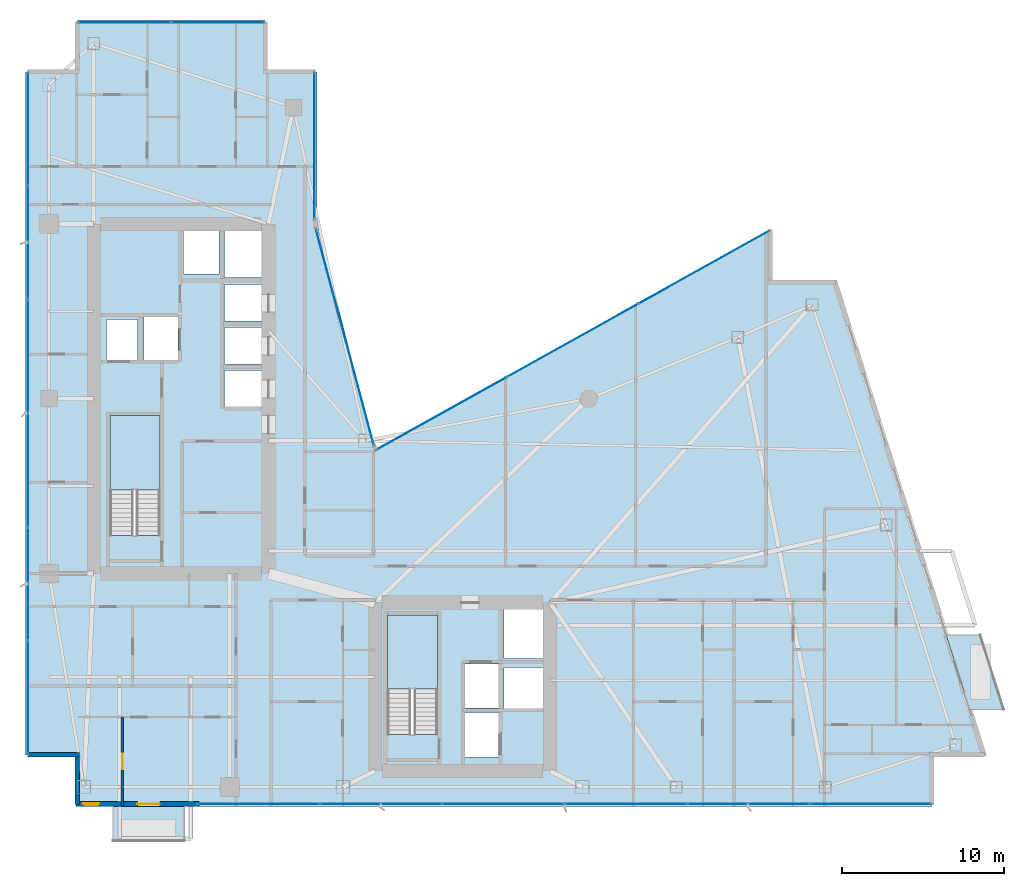
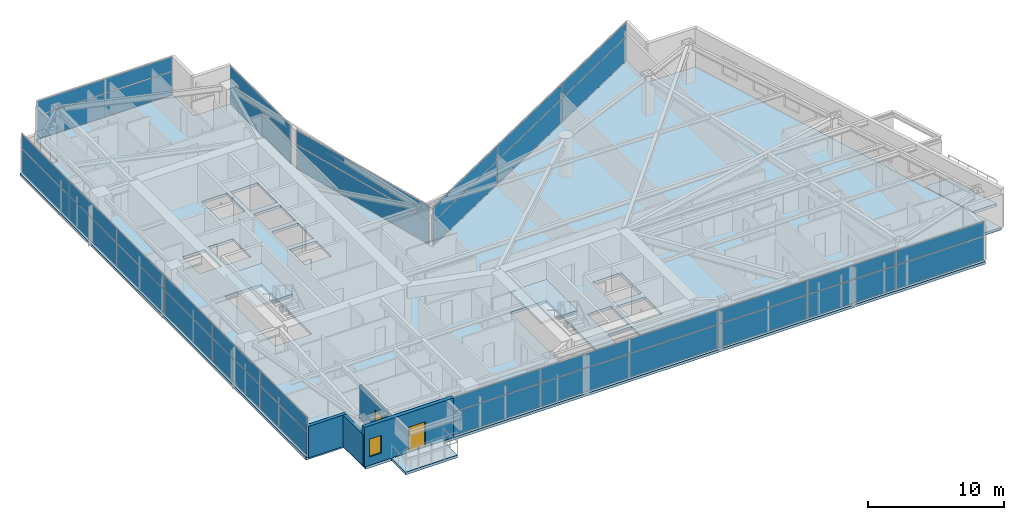
# One storey, part 21 of 29: 38 plates, 5 slabs, 4 walls, 2 doors, 1 window, 3 openings, 8 elements without a shape of their own.
"""IFC4 building model written with IfcOpenShell, lengths in metres."""

from ifc_helpers import new_model, si_unit, direction, frame, frame_2d, origin, origin_2d, place, context, subcontext, project, spatial, polyline, rectangle, outline, extrude, material, layer, layer_set, type_object, element, fill, aggregate, save


model = new_model("IFC4")

# Units and contexts
model_context = context("Model", 3, precision=1e-05, world=origin(), true_north=direction((0.0, 1.0)))
body_context = subcontext(model_context, "Body", "Model", "MODEL_VIEW")
ifc_project = project(units=[si_unit("LENGTHUNIT", "METRE"), si_unit("AREAUNIT", "SQUARE_METRE"), si_unit("VOLUMEUNIT", "CUBIC_METRE"), si_unit("PLANEANGLEUNIT", "RADIAN"), si_unit("MASSUNIT", "GRAM", prefix="KILO")], contexts=[model_context])

# Site, building, storey
site_placement = place(None, origin())
site = spatial("IfcSite", under=ifc_project, at=site_placement, CompositionType="ELEMENT")
building_placement = place(site_placement, origin())
building = spatial("IfcBuilding", under=site, at=building_placement, Name="Calvorn Quay Hotel", CompositionType="ELEMENT")
storey_placement = place(building_placement, frame((0.0, 0.0, 124.0)))
storey = spatial("IfcBuildingStorey", under=building, at=storey_placement, Name="L30", CompositionType="ELEMENT", Elevation=124.0)

# Curtain wall, plates
ifc_material_1 = material(Name="Pale Anodised Aluminium and Low-E Glass", Category="aluminium")
ifc_layer_1 = layer(ifc_material_1, 0.219970703125)
ifc_layer_set_1 = layer_set([ifc_layer_1], Name="CW-SYS-Z2")
curtain_wall_type = type_object("IfcCurtainWallType", Name="CW-SYS-Z2", PredefinedType="NOTDEFINED", material=ifc_layer_set_1)
curtain_wall_1_placement = place(storey_placement, origin())
curtain_wall_1 = element("IfcCurtainWall", 1, at=curtain_wall_1_placement, inside=storey, type_object=curtain_wall_type, Name="Tower West Curtain Wall (L30)", PredefinedType="NOTDEFINED")
ifc_material_2 = material(Name="Low-E Laminated Double Glazing", Category="glass")
ifc_layer_2 = layer(ifc_material_2, 0.028076171875)
ifc_layer_set_2 = layer_set([ifc_layer_2], Name="CW-SYS-Z2-PAN")
plate_type = type_object("IfcPlateType", Name="CW-SYS-Z2-PAN", PredefinedType="CURTAIN_PANEL", material=ifc_layer_set_2)
plate_1_placement = place(storey_placement, frame((0.14990234375, 9.131591796875, 0.06005859375), z_axis=(0.0, 0.0, 1.0), x_axis=(0.0, 1.0, 0.0)))
plate_1 = element("IfcPlate", 2, at=plate_1_placement, type_object=plate_type, Name="CW-L30-W panel 1.1", PredefinedType="CURTAIN_PANEL", context=body_context, shape_type="SweptSolid", body=[
    extrude(rectangle(XDim=6.943359375, YDim=0.028076171875, at=origin_2d()), origin(), (0.0, 0.0, 1.0), 2.110107421875),
])
plate_2_placement = place(storey_placement, frame((0.14990234375, 9.131591796875, 2.22998046875), z_axis=(0.0, 0.0, 1.0), x_axis=(0.0, 1.0, 0.0)))
plate_2 = element("IfcPlate", 3, at=plate_2_placement, type_object=plate_type, Name="CW-L30-W panel 1.2", PredefinedType="CURTAIN_PANEL", context=body_context, shape_type="SweptSolid", body=[
    extrude(rectangle(XDim=6.943359375, YDim=0.028076171875, at=origin_2d()), origin(), (0.0, 0.0, 1.0), 1.27001953125),
])
plate_3_placement = place(storey_placement, frame((0.14990234375, 16.14990234375, 0.06005859375), z_axis=(0.0, 0.0, 1.0), x_axis=(0.0, 1.0, 0.0)))
plate_3 = element("IfcPlate", 4, at=plate_3_placement, type_object=plate_type, Name="CW-L30-W panel 2.1", PredefinedType="CURTAIN_PANEL", context=body_context, shape_type="SweptSolid", body=[
    extrude(rectangle(XDim=6.973388671875, YDim=0.028076171875, at=origin_2d()), origin(), (0.0, 0.0, 1.0), 2.110107421875),
])
plate_4_placement = place(storey_placement, frame((0.14990234375, 16.14990234375, 2.22998046875), z_axis=(0.0, 0.0, 1.0), x_axis=(0.0, 1.0, 0.0)))
plate_4 = element("IfcPlate", 5, at=plate_4_placement, type_object=plate_type, Name="CW-L30-W panel 2.2", PredefinedType="CURTAIN_PANEL", context=body_context, shape_type="SweptSolid", body=[
    extrude(rectangle(XDim=6.973388671875, YDim=0.028076171875, at=origin_2d()), origin(), (0.0, 0.0, 1.0), 1.27001953125),
])
plate_5_placement = place(storey_placement, frame((0.14990234375, 23.183349609375, 0.06005859375), z_axis=(0.0, 0.0, 1.0), x_axis=(0.0, 1.0, 0.0)))
plate_5 = element("IfcPlate", 6, at=plate_5_placement, type_object=plate_type, Name="CW-L30-W panel 3.1", PredefinedType="CURTAIN_PANEL", context=body_context, shape_type="SweptSolid", body=[
    extrude(rectangle(XDim=6.973388671875, YDim=0.028076171875, at=origin_2d()), origin(), (0.0, 0.0, 1.0), 2.110107421875),
])
plate_6_placement = place(storey_placement, frame((0.14990234375, 23.183349609375, 2.22998046875), z_axis=(0.0, 0.0, 1.0), x_axis=(0.0, 1.0, 0.0)))
plate_6 = element("IfcPlate", 7, at=plate_6_placement, type_object=plate_type, Name="CW-L30-W panel 3.2", PredefinedType="CURTAIN_PANEL", context=body_context, shape_type="SweptSolid", body=[
    extrude(rectangle(XDim=6.973388671875, YDim=0.028076171875, at=origin_2d()), origin(), (0.0, 0.0, 1.0), 1.27001953125),
])
plate_7_placement = place(storey_placement, frame((0.14990234375, 30.216552734375, 0.06005859375), z_axis=(0.0, 0.0, 1.0), x_axis=(0.0, 1.0, 0.0)))
plate_7 = element("IfcPlate", 8, at=plate_7_placement, type_object=plate_type, Name="CW-L30-W panel 4.1", PredefinedType="CURTAIN_PANEL", context=body_context, shape_type="SweptSolid", body=[
    extrude(rectangle(XDim=6.973388671875, YDim=0.028076171875, at=origin_2d()), origin(), (0.0, 0.0, 1.0), 2.110107421875),
])
plate_8_placement = place(storey_placement, frame((0.14990234375, 30.216552734375, 2.22998046875), z_axis=(0.0, 0.0, 1.0), x_axis=(0.0, 1.0, 0.0)))
plate_8 = element("IfcPlate", 9, at=plate_8_placement, type_object=plate_type, Name="CW-L30-W panel 4.2", PredefinedType="CURTAIN_PANEL", context=body_context, shape_type="SweptSolid", body=[
    extrude(rectangle(XDim=6.973388671875, YDim=0.028076171875, at=origin_2d()), origin(), (0.0, 0.0, 1.0), 1.27001953125),
])
plate_9_placement = place(storey_placement, frame((0.14990234375, 37.25, 0.06005859375), z_axis=(0.0, 0.0, 1.0), x_axis=(0.0, 1.0, 0.0)))
plate_9 = element("IfcPlate", 10, at=plate_9_placement, type_object=plate_type, Name="CW-L30-W panel 5.1", PredefinedType="CURTAIN_PANEL", context=body_context, shape_type="SweptSolid", body=[
    extrude(rectangle(XDim=6.973388671875, YDim=0.028076171875, at=origin_2d()), origin(), (0.0, 0.0, 1.0), 2.110107421875),
])
plate_10_placement = place(storey_placement, frame((0.14990234375, 37.25, 2.22998046875), z_axis=(0.0, 0.0, 1.0), x_axis=(0.0, 1.0, 0.0)))
plate_10 = element("IfcPlate", 11, at=plate_10_placement, type_object=plate_type, Name="CW-L30-W panel 5.2", PredefinedType="CURTAIN_PANEL", context=body_context, shape_type="SweptSolid", body=[
    extrude(rectangle(XDim=6.973388671875, YDim=0.028076171875, at=origin_2d()), origin(), (0.0, 0.0, 1.0), 1.27001953125),
])
plate_11_placement = place(storey_placement, frame((0.14990234375, 44.268310546875, 0.06005859375), z_axis=(0.0, 0.0, 1.0), x_axis=(0.0, 1.0, 0.0)))
plate_11 = element("IfcPlate", 12, at=plate_11_placement, type_object=plate_type, Name="CW-L30-W panel 6.1", PredefinedType="CURTAIN_PANEL", context=body_context, shape_type="SweptSolid", body=[
    extrude(rectangle(XDim=6.943359375, YDim=0.028076171875, at=origin_2d()), origin(), (0.0, 0.0, 1.0), 2.110107421875),
])
plate_12_placement = place(storey_placement, frame((0.14990234375, 44.268310546875, 2.22998046875), z_axis=(0.0, 0.0, 1.0), x_axis=(0.0, 1.0, 0.0)))
plate_12 = element("IfcPlate", 13, at=plate_12_placement, type_object=plate_type, Name="CW-L30-W panel 6.2", PredefinedType="CURTAIN_PANEL", context=body_context, shape_type="SweptSolid", body=[
    extrude(rectangle(XDim=6.943359375, YDim=0.028076171875, at=origin_2d()), origin(), (0.0, 0.0, 1.0), 1.27001953125),
])
aggregate(curtain_wall_1, [plate_1, plate_2, plate_3, plate_4, plate_5, plate_6, plate_7, plate_8, plate_9, plate_10, plate_11, plate_12])

curtain_wall_2_placement = place(storey_placement, origin())
curtain_wall_2 = element("IfcCurtainWall", 14, at=curtain_wall_2_placement, inside=storey, type_object=curtain_wall_type, Name="Tower South Waterfront Curtain Wall (L30)", PredefinedType="NOTDEFINED")
plate_13_placement = place(storey_placement, frame((14.3984375, 2.550048828125, 0.06005859375), z_axis=(0.0, 0.0, 1.0), x_axis=(1.0, 0.0, 0.0)))
plate_13 = element("IfcPlate", 15, at=plate_13_placement, type_object=plate_type, Name="CW-L30-S panel 1.1", PredefinedType="CURTAIN_PANEL", context=body_context, shape_type="SweptSolid", body=[
    extrude(rectangle(XDim=7.4765625, YDim=0.028076171875, at=origin_2d()), origin(), (0.0, 0.0, 1.0), 2.110107421875),
])
plate_14_placement = place(storey_placement, frame((14.3984375, 2.550048828125, 2.22998046875), z_axis=(0.0, 0.0, 1.0), x_axis=(1.0, 0.0, 0.0)))
plate_14 = element("IfcPlate", 16, at=plate_14_placement, type_object=plate_type, Name="CW-L30-S panel 1.2", PredefinedType="CURTAIN_PANEL", context=body_context, shape_type="SweptSolid", body=[
    extrude(rectangle(XDim=7.4765625, YDim=0.028076171875, at=origin_2d()), origin(), (0.0, 0.0, 1.0), 1.27001953125),
])
plate_15_placement = place(storey_placement, frame((21.949951171875, 2.550048828125, 0.06005859375), z_axis=(0.0, 0.0, 1.0), x_axis=(1.0, 0.0, 0.0)))
plate_15 = element("IfcPlate", 17, at=plate_15_placement, type_object=plate_type, Name="CW-L30-S panel 2.1", PredefinedType="CURTAIN_PANEL", context=body_context, shape_type="SweptSolid", body=[
    extrude(rectangle(XDim=7.506591796875, YDim=0.028076171875, at=origin_2d()), origin(), (0.0, 0.0, 1.0), 2.110107421875),
])
plate_16_placement = place(storey_placement, frame((21.949951171875, 2.550048828125, 2.22998046875), z_axis=(0.0, 0.0, 1.0), x_axis=(1.0, 0.0, 0.0)))
plate_16 = element("IfcPlate", 18, at=plate_16_placement, type_object=plate_type, Name="CW-L30-S panel 2.2", PredefinedType="CURTAIN_PANEL", context=body_context, shape_type="SweptSolid", body=[
    extrude(rectangle(XDim=7.506591796875, YDim=0.028076171875, at=origin_2d()), origin(), (0.0, 0.0, 1.0), 1.27001953125),
])
plate_17_placement = place(storey_placement, frame((29.5166015625, 2.550048828125, 0.06005859375), z_axis=(0.0, 0.0, 1.0), x_axis=(1.0, 0.0, 0.0)))
plate_17 = element("IfcPlate", 19, at=plate_17_placement, type_object=plate_type, Name="CW-L30-S panel 3.1", PredefinedType="CURTAIN_PANEL", context=body_context, shape_type="SweptSolid", body=[
    extrude(rectangle(XDim=7.506591796875, YDim=0.028076171875, at=origin_2d()), origin(), (0.0, 0.0, 1.0), 2.110107421875),
])
plate_18_placement = place(storey_placement, frame((29.5166015625, 2.550048828125, 2.22998046875), z_axis=(0.0, 0.0, 1.0), x_axis=(1.0, 0.0, 0.0)))
plate_18 = element("IfcPlate", 20, at=plate_18_placement, type_object=plate_type, Name="CW-L30-S panel 3.2", PredefinedType="CURTAIN_PANEL", context=body_context, shape_type="SweptSolid", body=[
    extrude(rectangle(XDim=7.506591796875, YDim=0.028076171875, at=origin_2d()), origin(), (0.0, 0.0, 1.0), 1.27001953125),
])
plate_19_placement = place(storey_placement, frame((37.083251953125, 2.550048828125, 0.06005859375), z_axis=(0.0, 0.0, 1.0), x_axis=(1.0, 0.0, 0.0)))
plate_19 = element("IfcPlate", 21, at=plate_19_placement, type_object=plate_type, Name="CW-L30-S panel 4.1", PredefinedType="CURTAIN_PANEL", context=body_context, shape_type="SweptSolid", body=[
    extrude(rectangle(XDim=7.506591796875, YDim=0.028076171875, at=origin_2d()), origin(), (0.0, 0.0, 1.0), 2.110107421875),
])
plate_20_placement = place(storey_placement, frame((37.083251953125, 2.550048828125, 2.22998046875), z_axis=(0.0, 0.0, 1.0), x_axis=(1.0, 0.0, 0.0)))
plate_20 = element("IfcPlate", 22, at=plate_20_placement, type_object=plate_type, Name="CW-L30-S panel 4.2", PredefinedType="CURTAIN_PANEL", context=body_context, shape_type="SweptSolid", body=[
    extrude(rectangle(XDim=7.506591796875, YDim=0.028076171875, at=origin_2d()), origin(), (0.0, 0.0, 1.0), 1.27001953125),
])
plate_21_placement = place(storey_placement, frame((44.64990234375, 2.550048828125, 0.06005859375), z_axis=(0.0, 0.0, 1.0), x_axis=(1.0, 0.0, 0.0)))
plate_21 = element("IfcPlate", 23, at=plate_21_placement, type_object=plate_type, Name="CW-L30-S panel 5.1", PredefinedType="CURTAIN_PANEL", context=body_context, shape_type="SweptSolid", body=[
    extrude(rectangle(XDim=7.506591796875, YDim=0.028076171875, at=origin_2d()), origin(), (0.0, 0.0, 1.0), 2.110107421875),
])
plate_22_placement = place(storey_placement, frame((44.64990234375, 2.550048828125, 2.22998046875), z_axis=(0.0, 0.0, 1.0), x_axis=(1.0, 0.0, 0.0)))
plate_22 = element("IfcPlate", 24, at=plate_22_placement, type_object=plate_type, Name="CW-L30-S panel 5.2", PredefinedType="CURTAIN_PANEL", context=body_context, shape_type="SweptSolid", body=[
    extrude(rectangle(XDim=7.506591796875, YDim=0.028076171875, at=origin_2d()), origin(), (0.0, 0.0, 1.0), 1.27001953125),
])
plate_23_placement = place(storey_placement, frame((52.20166015625, 2.550048828125, 0.06005859375), z_axis=(0.0, 0.0, 1.0), x_axis=(1.0, 0.0, 0.0)))
plate_23 = element("IfcPlate", 25, at=plate_23_placement, type_object=plate_type, Name="CW-L30-S panel 6.1", PredefinedType="CURTAIN_PANEL", context=body_context, shape_type="SweptSolid", body=[
    extrude(rectangle(XDim=7.4765625, YDim=0.028076171875, at=origin_2d()), origin(), (0.0, 0.0, 1.0), 2.110107421875),
])
plate_24_placement = place(storey_placement, frame((52.20166015625, 2.550048828125, 2.22998046875), z_axis=(0.0, 0.0, 1.0), x_axis=(1.0, 0.0, 0.0)))
plate_24 = element("IfcPlate", 26, at=plate_24_placement, type_object=plate_type, Name="CW-L30-S panel 6.2", PredefinedType="CURTAIN_PANEL", context=body_context, shape_type="SweptSolid", body=[
    extrude(rectangle(XDim=7.4765625, YDim=0.028076171875, at=origin_2d()), origin(), (0.0, 0.0, 1.0), 1.27001953125),
])
aggregate(curtain_wall_2, [plate_13, plate_14, plate_15, plate_16, plate_17, plate_18, plate_19, plate_20, plate_21, plate_22, plate_23, plate_24])

curtain_wall_3_placement = place(storey_placement, origin())
curtain_wall_3 = element("IfcCurtainWall", 27, at=curtain_wall_3_placement, inside=storey, type_object=curtain_wall_type, Name="Inner Court Curtain Wall L30-NE1", PredefinedType="NOTDEFINED")
plate_25_placement = place(storey_placement, frame((41.920166015625, 35.72607421875, 0.06005859375), z_axis=(0.0, 0.0, 1.0), x_axis=(-0.873480989116, -0.486858256224, 0.0)))
plate_25 = element("IfcPlate", 28, at=plate_25_placement, type_object=plate_type, Name="CW-L30-NE1 panel 1.1", PredefinedType="CURTAIN_PANEL", context=body_context, shape_type="SweptSolid", body=[
    extrude(rectangle(XDim=9.221435546875, YDim=0.028076171875, at=origin_2d()), origin(), (0.0, 0.0, 1.0), 2.110107421875),
])
plate_26_placement = place(storey_placement, frame((41.920166015625, 35.72607421875, 2.22998046875), z_axis=(0.0, 0.0, 1.0), x_axis=(-0.873480989116, -0.486858256224, 0.0)))
plate_26 = element("IfcPlate", 29, at=plate_26_placement, type_object=plate_type, Name="CW-L30-NE1 panel 1.2", PredefinedType="CURTAIN_PANEL", context=body_context, shape_type="SweptSolid", body=[
    extrude(rectangle(XDim=9.221435546875, YDim=0.028076171875, at=origin_2d()), origin(), (0.0, 0.0, 1.0), 1.27001953125),
])
plate_27_placement = place(storey_placement, frame((33.800048828125, 31.199951171875, 0.06005859375), z_axis=(0.0, 0.0, 1.0), x_axis=(-0.873480989116, -0.486858256224, 0.0)))
plate_27 = element("IfcPlate", 30, at=plate_27_placement, type_object=plate_type, Name="CW-L30-NE1 panel 2.1", PredefinedType="CURTAIN_PANEL", context=body_context, shape_type="SweptSolid", body=[
    extrude(rectangle(XDim=9.25146484375, YDim=0.028076171875, at=origin_2d()), origin(), (0.0, 0.0, 1.0), 2.110107421875),
])
plate_28_placement = place(storey_placement, frame((33.800048828125, 31.199951171875, 2.22998046875), z_axis=(0.0, 0.0, 1.0), x_axis=(-0.873480989116, -0.486858256224, 0.0)))
plate_28 = element("IfcPlate", 31, at=plate_28_placement, type_object=plate_type, Name="CW-L30-NE1 panel 2.2", PredefinedType="CURTAIN_PANEL", context=body_context, shape_type="SweptSolid", body=[
    extrude(rectangle(XDim=9.25146484375, YDim=0.028076171875, at=origin_2d()), origin(), (0.0, 0.0, 1.0), 1.27001953125),
])
plate_29_placement = place(storey_placement, frame((25.6796875, 26.674072265625, 0.06005859375), z_axis=(0.0, 0.0, 1.0), x_axis=(-0.873480989116, -0.486858256224, 0.0)))
plate_29 = element("IfcPlate", 32, at=plate_29_placement, type_object=plate_type, Name="CW-L30-NE1 panel 3.1", PredefinedType="CURTAIN_PANEL", context=body_context, shape_type="SweptSolid", body=[
    extrude(rectangle(XDim=9.221435546875, YDim=0.028076171875, at=origin_2d()), origin(), (0.0, 0.0, 1.0), 2.110107421875),
])
plate_30_placement = place(storey_placement, frame((25.6796875, 26.674072265625, 2.22998046875), z_axis=(0.0, 0.0, 1.0), x_axis=(-0.873480989116, -0.486858256224, 0.0)))
plate_30 = element("IfcPlate", 33, at=plate_30_placement, type_object=plate_type, Name="CW-L30-NE1 panel 3.2", PredefinedType="CURTAIN_PANEL", context=body_context, shape_type="SweptSolid", body=[
    extrude(rectangle(XDim=9.221435546875, YDim=0.028076171875, at=origin_2d()), origin(), (0.0, 0.0, 1.0), 1.27001953125),
])
aggregate(curtain_wall_3, [plate_25, plate_26, plate_27, plate_28, plate_29, plate_30])

curtain_wall_4_placement = place(storey_placement, origin())
curtain_wall_4 = element("IfcCurtainWall", 34, at=curtain_wall_4_placement, inside=storey, type_object=curtain_wall_type, Name="Inner Court Curtain Wall L30-IC1", PredefinedType="NOTDEFINED")
plate_31_placement = place(storey_placement, frame((19.72509765625, 31.39990234375, 0.06005859375), z_axis=(0.0, 0.0, 1.0), x_axis=(-0.25877913024, 0.96593652056, 0.0)))
plate_31 = element("IfcPlate", 35, at=plate_31_placement, type_object=plate_type, Name="CW-L30-IC1 panel 1.1", PredefinedType="CURTAIN_PANEL", context=body_context, shape_type="SweptSolid", body=[
    extrude(rectangle(XDim=13.814697265625, YDim=0.028076171875, at=origin_2d()), origin(), (0.0, 0.0, 1.0), 2.110107421875),
])
plate_32_placement = place(storey_placement, frame((19.72509765625, 31.39990234375, 2.22998046875), z_axis=(0.0, 0.0, 1.0), x_axis=(-0.25877913024, 0.96593652056, 0.0)))
plate_32 = element("IfcPlate", 36, at=plate_32_placement, type_object=plate_type, Name="CW-L30-IC1 panel 1.2", PredefinedType="CURTAIN_PANEL", context=body_context, shape_type="SweptSolid", body=[
    extrude(rectangle(XDim=13.814697265625, YDim=0.028076171875, at=origin_2d()), origin(), (0.0, 0.0, 1.0), 1.27001953125),
])
aggregate(curtain_wall_4, [plate_31, plate_32])

curtain_wall_5_placement = place(storey_placement, origin())
curtain_wall_5 = element("IfcCurtainWall", 37, at=curtain_wall_5_placement, inside=storey, type_object=curtain_wall_type, Name="Inner Court Curtain Wall L30-IC2", PredefinedType="NOTDEFINED")
plate_33_placement = place(storey_placement, frame((17.85009765625, 43.239990234375, 0.06005859375), z_axis=(0.0, 0.0, 1.0), x_axis=(0.0, 1.0, 0.0)))
plate_33 = element("IfcPlate", 38, at=plate_33_placement, type_object=plate_type, Name="CW-L30-IC2 panel 1.1", PredefinedType="CURTAIN_PANEL", context=body_context, shape_type="SweptSolid", body=[
    extrude(rectangle(XDim=9.0, YDim=0.028076171875, at=origin_2d()), origin(), (0.0, 0.0, 1.0), 2.110107421875),
])
plate_34_placement = place(storey_placement, frame((17.85009765625, 43.239990234375, 2.22998046875), z_axis=(0.0, 0.0, 1.0), x_axis=(0.0, 1.0, 0.0)))
plate_34 = element("IfcPlate", 39, at=plate_34_placement, type_object=plate_type, Name="CW-L30-IC2 panel 1.2", PredefinedType="CURTAIN_PANEL", context=body_context, shape_type="SweptSolid", body=[
    extrude(rectangle(XDim=9.0, YDim=0.028076171875, at=origin_2d()), origin(), (0.0, 0.0, 1.0), 1.27001953125),
])
aggregate(curtain_wall_5, [plate_33, plate_34])

curtain_wall_6_placement = place(storey_placement, origin())
curtain_wall_6 = element("IfcCurtainWall", 40, at=curtain_wall_6_placement, inside=storey, type_object=curtain_wall_type, Name="Inner Court Curtain Wall L30-N1", PredefinedType="NOTDEFINED")
plate_35_placement = place(storey_placement, frame((11.885009765625, 50.85009765625, 0.06005859375), z_axis=(0.0, 0.0, 1.0), x_axis=(-1.0, 0.0, 0.0)))
plate_35 = element("IfcPlate", 41, at=plate_35_placement, type_object=plate_type, Name="CW-L30-N1 panel 1.1", PredefinedType="CURTAIN_PANEL", context=body_context, shape_type="SweptSolid", body=[
    extrude(rectangle(XDim=5.7099609375, YDim=0.028076171875, at=origin_2d()), origin(), (0.0, 0.0, 1.0), 2.110107421875),
])
plate_36_placement = place(storey_placement, frame((11.885009765625, 50.85009765625, 2.22998046875), z_axis=(0.0, 0.0, 1.0), x_axis=(-1.0, 0.0, 0.0)))
plate_36 = element("IfcPlate", 42, at=plate_36_placement, type_object=plate_type, Name="CW-L30-N1 panel 1.2", PredefinedType="CURTAIN_PANEL", context=body_context, shape_type="SweptSolid", body=[
    extrude(rectangle(XDim=5.7099609375, YDim=0.028076171875, at=origin_2d()), origin(), (0.0, 0.0, 1.0), 1.27001953125),
])
plate_37_placement = place(storey_placement, frame((6.114990234375, 50.85009765625, 0.06005859375), z_axis=(0.0, 0.0, 1.0), x_axis=(-1.0, 0.0, 0.0)))
plate_37 = element("IfcPlate", 43, at=plate_37_placement, type_object=plate_type, Name="CW-L30-N1 panel 2.1", PredefinedType="CURTAIN_PANEL", context=body_context, shape_type="SweptSolid", body=[
    extrude(rectangle(XDim=5.7099609375, YDim=0.028076171875, at=origin_2d()), origin(), (0.0, 0.0, 1.0), 2.110107421875),
])
plate_38_placement = place(storey_placement, frame((6.114990234375, 50.85009765625, 2.22998046875), z_axis=(0.0, 0.0, 1.0), x_axis=(-1.0, 0.0, 0.0)))
plate_38 = element("IfcPlate", 44, at=plate_38_placement, type_object=plate_type, Name="CW-L30-N1 panel 2.2", PredefinedType="CURTAIN_PANEL", context=body_context, shape_type="SweptSolid", body=[
    extrude(rectangle(XDim=5.7099609375, YDim=0.028076171875, at=origin_2d()), origin(), (0.0, 0.0, 1.0), 1.27001953125),
])
aggregate(curtain_wall_6, [plate_35, plate_36, plate_37, plate_38])

# Slabs
ifc_material_3 = material(Name="Concrete C40", Category="concrete")
ifc_layer_3 = layer(ifc_material_3, 0.239990234375)
ifc_layer_set_3 = layer_set([ifc_layer_3], Name="SLB-BALCONY-220")
slab_type_1 = type_object("IfcSlabType", Name="SLB-BALCONY-220", PredefinedType="FLOOR", material=ifc_layer_set_3)
slab_1_placement = place(storey_placement, frame((0.0, 0.0, -0.239990234375)))
element("IfcSlab", 45, at=slab_1_placement, inside=storey, type_object=slab_type_1, Name="Tree Balcony Slab L30-BALC-E", PredefinedType="FLOOR", context=body_context, shape_type="SweptSolid", body=[
    extrude(outline(polyline([(58.327880859375, 8.39990234375), (60.427978515625, 8.39990234375), (58.97802734375, 13.0), (56.8779296875, 13.0), (58.327880859375, 8.39990234375)])), origin(), (0.0, 0.0, 1.0), 0.239990234375),
])
slab_2_placement = place(storey_placement, frame((0.0, 0.0, -0.239990234375)))
element("IfcSlab", 46, at=slab_2_placement, inside=storey, type_object=slab_type_1, Name="Tree Balcony Slab L30-BALC-S", PredefinedType="FLOOR", context=body_context, shape_type="SweptSolid", body=[
    extrude(outline(polyline([(5.39990234375, 0.2900390625), (9.800048828125, 0.2900390625), (9.800048828125, 2.389892578125), (5.39990234375, 2.389892578125), (5.39990234375, 0.2900390625)])), origin(), (0.0, 0.0, 1.0), 0.239990234375),
])

# Stair, slab
ifc_material_4 = material(Name="Concrete C40", Category="concrete")
stair_type = type_object("IfcStairType", Name="STR-CORE-DOGLEG", PredefinedType="HALF_TURN_STAIR", material=ifc_material_4)
stair_1_placement = place(storey_placement, origin())
stair_1 = element("IfcStair", 47, at=stair_1_placement, inside=storey, type_object=stair_type, Name="L30 ST-W", PredefinedType="HALF_TURN_STAIR")
ifc_material_5 = material(Name="Concrete C40", Category="concrete")
ifc_layer_4 = layer(ifc_material_5, 0.199951171875)
ifc_layer_set_4 = layer_set([ifc_layer_4], Name="SLB-STAIR-LANDING-200")
slab_type_2 = type_object("IfcSlabType", Name="SLB-STAIR-LANDING-200", PredefinedType="LANDING", material=ifc_layer_set_4)
slab_3_placement = place(storey_placement, frame((0.0, 0.0, 1.699951171875)))
slab_3 = element("IfcSlab", 48, at=slab_3_placement, type_object=slab_type_2, Name="ST-W landing 1", PredefinedType="LANDING", context=body_context, shape_type="SweptSolid", body=[
    extrude(outline(polyline([(8.300048828125, 21.949951171875), (8.300048828125, 26.550048828125), (5.199951171875, 26.550048828125), (5.199951171875, 21.949951171875), (8.300048828125, 21.949951171875)])), origin(), (0.0, 0.0, 1.0), 0.199951171875),
])
aggregate(stair_1, [slab_3])

stair_2_placement = place(storey_placement, origin())
stair_2 = element("IfcStair", 49, at=stair_2_placement, inside=storey, type_object=stair_type, Name="L30 ST-E", PredefinedType="HALF_TURN_STAIR")
slab_4_placement = place(storey_placement, frame((0.0, 0.0, 1.699951171875)))
slab_4 = element("IfcSlab", 50, at=slab_4_placement, type_object=slab_type_2, Name="ST-E landing 1", PredefinedType="LANDING", context=body_context, shape_type="SweptSolid", body=[
    extrude(outline(polyline([(25.449951171875, 9.64990234375), (25.449951171875, 14.25), (22.35009765625, 14.25), (22.35009765625, 9.64990234375), (25.449951171875, 9.64990234375)])), origin(), (0.0, 0.0, 1.0), 0.199951171875),
])
aggregate(stair_2, [slab_4])

# Slab
ifc_material_6 = material(Name="Concrete C40", Category="concrete")
ifc_layer_5 = layer(ifc_material_6, 0.239990234375)
ifc_layer_set_5 = layer_set([ifc_layer_5], Name="SLB-TOWER-240")
slab_type_3 = type_object("IfcSlabType", Name="SLB-TOWER-240", PredefinedType="FLOOR", material=ifc_layer_set_5)
slab_5_placement = place(storey_placement, frame((0.0, 0.0, -0.239990234375)))
element("IfcSlab", 51, at=slab_5_placement, inside=storey, type_object=slab_type_3, Name="L30 Structural Floor Slab", PredefinedType="FLOOR", context=body_context, shape_type="SweptSolid", body=[
    extrude(outline(polyline([(0.0, 5.60009765625), (3.199951171875, 5.60009765625), (3.199951171875, 2.39990234375), (56.0, 2.39990234375), (56.0, 5.60009765625), (59.199951171875, 5.60009765625), (50.0, 34.800048828125), (46.0, 34.800048828125), (46.0, 38.0), (21.60009765625, 24.39990234375), (18.0, 38.39990234375), (18.0, 47.800048828125), (14.800048828125, 47.800048828125), (14.800048828125, 51.0), (3.199951171875, 51.0), (3.199951171875, 47.800048828125), (0.0, 47.800048828125), (0.0, 5.60009765625)]), holes=[polyline([(5.199951171875, 19.156005859375), (8.300048828125, 19.156005859375), (8.300048828125, 26.550048828125), (5.199951171875, 26.550048828125), (5.199951171875, 19.156005859375)]), polyline([(22.35009765625, 6.85595703125), (25.449951171875, 6.85595703125), (25.449951171875, 14.25), (22.35009765625, 14.25), (22.35009765625, 6.85595703125)]), polyline([(5.0, 30.0), (6.89990234375, 30.0), (6.89990234375, 32.5), (5.0, 32.5), (5.0, 30.0)]), polyline([(7.300048828125, 30.0), (9.39990234375, 30.0), (9.39990234375, 32.64990234375), (7.300048828125, 32.64990234375), (7.300048828125, 30.0)]), polyline([(27.159912109375, 8.5), (29.2099609375, 8.5), (29.2099609375, 11.199951171875), (27.159912109375, 11.199951171875), (27.159912109375, 8.5)]), polyline([(27.159912109375, 5.449951171875), (29.2099609375, 5.449951171875), (29.2099609375, 8.199951171875), (27.159912109375, 8.199951171875), (27.159912109375, 5.449951171875)]), polyline([(12.300048828125, 27.10009765625), (14.56494140625, 27.10009765625), (14.56494140625, 29.35009765625), (12.300048828125, 29.35009765625), (12.300048828125, 27.10009765625)]), polyline([(12.300048828125, 29.75), (14.56494140625, 29.75), (14.56494140625, 32.0), (12.300048828125, 32.0), (12.300048828125, 29.75)]), polyline([(12.300048828125, 32.39990234375), (14.56494140625, 32.39990234375), (14.56494140625, 34.64990234375), (12.300048828125, 34.64990234375), (12.300048828125, 32.39990234375)]), polyline([(12.300048828125, 35.10009765625), (14.56494140625, 35.10009765625), (14.56494140625, 37.965087890625), (12.300048828125, 37.965087890625), (12.300048828125, 35.10009765625)]), polyline([(9.75, 35.300048828125), (11.949951171875, 35.300048828125), (11.949951171875, 37.965087890625), (9.75, 37.965087890625), (9.75, 35.300048828125)]), polyline([(29.550048828125, 11.550048828125), (31.965087890625, 11.550048828125), (31.965087890625, 14.56494140625), (29.550048828125, 14.56494140625), (29.550048828125, 11.550048828125)]), polyline([(29.550048828125, 8.449951171875), (31.965087890625, 8.449951171875), (31.965087890625, 11.0), (29.550048828125, 11.0), (29.550048828125, 8.449951171875)])]), origin(), (0.0, 0.0, 1.0), 0.239990234375),
])

# Wall, openings, door, window
ifc_material_7 = material(Name="Concrete C40", Category="concrete")
ifc_layer_6 = layer(ifc_material_7, 0.320068359375)
ifc_layer_set_6 = layer_set([ifc_layer_6], Name="WL-EXT-SPANDREL-320")
wall_type_1 = type_object("IfcWallType", Name="WL-EXT-SPANDREL-320", PredefinedType="SOLIDWALL", material=ifc_layer_set_6)
wall_1_placement = place(storey_placement, frame((3.10009765625, 2.56005859375, 0.0), z_axis=(0.0, 0.0, 1.0), x_axis=(1.0, 0.0, 0.0)))
wall_1 = element("IfcWall", 52, at=wall_1_placement, inside=storey, type_object=wall_type_1, Name="South Balcony Exterior Wall (L30)", PredefinedType="SOLIDWALL", context=body_context, shape_type="SweptSolid", body=[
    extrude(rectangle(XDim=7.599853515625, YDim=0.320068359375, at=frame_2d((3.7998046875, 0.0))), origin(), (0.0, 0.0, 1.0), 3.56005859375),
])
opening_1_placement = place(wall_1_placement, frame((0.449951171875, 0.0, 0.75)))
opening_1 = element("IfcOpeningElement", 53, at=opening_1_placement, cuts=wall_1, Name="Opening WSB-L30-1", PredefinedType="OPENING", context=body_context, shape_type="SweptSolid", body=[
    extrude(rectangle(XDim=1.0, YDim=1.60009765625, at=frame_2d((0.5, 0.800048828125))), frame((0.0, 0.169921875, 0.0), z_axis=(0.0, -1.0, 0.0), x_axis=(1.0, 0.0, 0.0)), (0.0, 0.0, 1.0), 0.340087890625),
])
opening_2_placement = place(wall_1_placement, frame((3.800048828125, 0.0, 0.0)))
opening_2 = element("IfcOpeningElement", 54, at=opening_2_placement, cuts=wall_1, Name="Opening DB-L30-2", PredefinedType="OPENING", context=body_context, shape_type="SweptSolid", body=[
    extrude(rectangle(XDim=1.39990234375, YDim=2.25, at=frame_2d((0.699951171875, 1.125))), frame((0.0, 0.169921875, 0.0), z_axis=(0.0, -1.0, 0.0), x_axis=(1.0, 0.0, 0.0)), (0.0, 0.0, 1.0), 0.340087890625),
])
ifc_material_8 = material(Name="Typhoon-Rated Low-E Aluminium Terrace Door", Category="aluminium")
door_type_1 = type_object("IfcDoorType", Name="DR-BALCONY-GLZ-1400", OperationType="NOTDEFINED", PredefinedType="DOOR", material=ifc_material_8)
door_1_placement = place(opening_2_placement, origin())
door_1 = element("IfcDoor", 55, at=door_1_placement, inside=storey, type_object=door_type_1, Name="Tree Balcony Terrace Door L30-BALC-S", OperationType="SINGLE_SWING_LEFT", OverallHeight=2.25, OverallWidth=1.39990234375, PredefinedType="DOOR", context=body_context, shape_type="SweptSolid", body=[
    extrude(rectangle(XDim=1.39990234375, YDim=2.25, at=frame_2d((0.699951171875, 1.125))), frame((0.0, 0.02490234375, 0.0), z_axis=(0.0, -1.0, 0.0), x_axis=(1.0, 0.0, 0.0)), (0.0, 0.0, 1.0), 0.050048828125),
])
fill(opening_2, door_1)
ifc_material_9 = material(Name="Self-Closing Class B Side Fire Window")
window_type = type_object("IfcWindowType", Name="WIN-REFUGE-NARROW-1000x1600", PartitioningType="SINGLE_PANEL", PredefinedType="WINDOW", material=ifc_material_9)
window_placement = place(opening_1_placement, origin())
window = element("IfcWindow", 56, at=window_placement, inside=storey, type_object=window_type, Name="South Waterfront Side Window (L30)", OverallHeight=1.60009765625, OverallWidth=1.0, PartitioningType="SINGLE_PANEL", PredefinedType="WINDOW", context=body_context, shape_type="SweptSolid", body=[
    extrude(rectangle(XDim=1.0, YDim=1.60009765625, at=frame_2d((0.5, 0.800048828125))), frame((0.0, 0.030029296875, 0.0), z_axis=(0.0, -1.0, 0.0), x_axis=(1.0, 0.0, 0.0)), (0.0, 0.0, 1.0), 0.06005859375),
])
fill(opening_1, window)

# Walls
wall_2_placement = place(storey_placement, frame((0.1201171875, 5.60009765625, 0.0), z_axis=(0.0, 0.0, 1.0), x_axis=(1.0, 0.0, 0.0)))
element("IfcWall", 57, at=wall_2_placement, inside=storey, type_object=wall_type_1, Name="Notched Corner Spandrel L30-SW1", PredefinedType="SOLIDWALL", context=body_context, shape_type="SweptSolid", body=[
    extrude(rectangle(XDim=3.219970703125, YDim=0.280029296875, at=frame_2d((1.60986328125, 0.0))), origin(), (0.0, 0.0, 1.0), 2.840087890625),
])
wall_3_placement = place(storey_placement, frame((3.199951171875, 5.4599609375, 0.0), z_axis=(0.0, 0.0, 1.0), x_axis=(0.0, -1.0, 0.0)))
element("IfcWall", 58, at=wall_3_placement, inside=storey, type_object=wall_type_1, Name="Notched Corner Spandrel L30-SW2", PredefinedType="SOLIDWALL", context=body_context, shape_type="SweptSolid", body=[
    extrude(rectangle(XDim=2.93994140625, YDim=0.280029296875, at=frame_2d((1.469970703125, 0.0))), origin(), (0.0, 0.0, 1.0), 2.840087890625),
])

# Wall, opening, door
ifc_material_10 = material(Name="Double-Stud Acoustic Gypsum Partition")
ifc_layer_7 = layer(ifc_material_10, 0.159912109375)
ifc_layer_set_7 = layer_set([ifc_layer_7], Name="WL-INTERSUITE-160")
wall_type_2 = type_object("IfcWallType", Name="WL-INTERSUITE-160", PredefinedType="PARTITIONING", material=ifc_layer_set_7)
wall_4_placement = place(storey_placement, frame((5.97998046875, 2.43994140625, 0.0), z_axis=(0.0, 0.0, 1.0), x_axis=(0.0, 1.0, 0.0)))
wall_4 = element("IfcWall", 59, at=wall_4_placement, inside=storey, type_object=wall_type_2, Name="Partition Wall L30-WL-U01-MSP", PredefinedType="PARTITIONING", context=body_context, shape_type="SweptSolid", body=[
    extrude(rectangle(XDim=5.47998046875, YDim=0.159912109375, at=frame_2d((2.739990234375, 0.0))), origin(), (0.0, 0.0, 1.0), 3.0400390625),
])
opening_3_placement = place(wall_4_placement, frame((2.260009765625, 0.0, 0.0)))
opening_3 = element("IfcOpeningElement", 60, at=opening_3_placement, cuts=wall_4, Name="Opening D-L30-M01", PredefinedType="OPENING", context=body_context, shape_type="SweptSolid", body=[
    extrude(rectangle(XDim=0.9599609375, YDim=2.199951171875, at=frame_2d((0.47998046875, 1.10009765625))), frame((0.0, 0.08984375, 0.0), z_axis=(0.0, -1.0, 0.0), x_axis=(1.0, 0.0, 0.0)), (0.0, 0.0, 1.0), 0.179931640625),
])
ifc_material_11 = material(Name="Solid Timber Internal Suite Door", Category="wood")
door_type_2 = type_object("IfcDoorType", Name="DR-SUITE-INT-960", OperationType="NOTDEFINED", PredefinedType="DOOR", material=ifc_material_11)
door_2_placement = place(opening_3_placement, origin())
door_2 = element("IfcDoor", 61, at=door_2_placement, inside=storey, type_object=door_type_2, Name="Suite Bedroom Door 01", OperationType="SINGLE_SWING_LEFT", OverallHeight=2.199951171875, OverallWidth=0.9599609375, PredefinedType="DOOR", context=body_context, shape_type="SweptSolid", body=[
    extrude(rectangle(XDim=0.9599609375, YDim=2.199951171875, at=frame_2d((0.47998046875, 1.10009765625))), frame((0.0, 0.02490234375, 0.0), z_axis=(0.0, -1.0, 0.0), x_axis=(1.0, 0.0, 0.0)), (0.0, 0.0, 1.0), 0.050048828125),
])
fill(opening_3, door_2)

save(model, "model.ifc")
